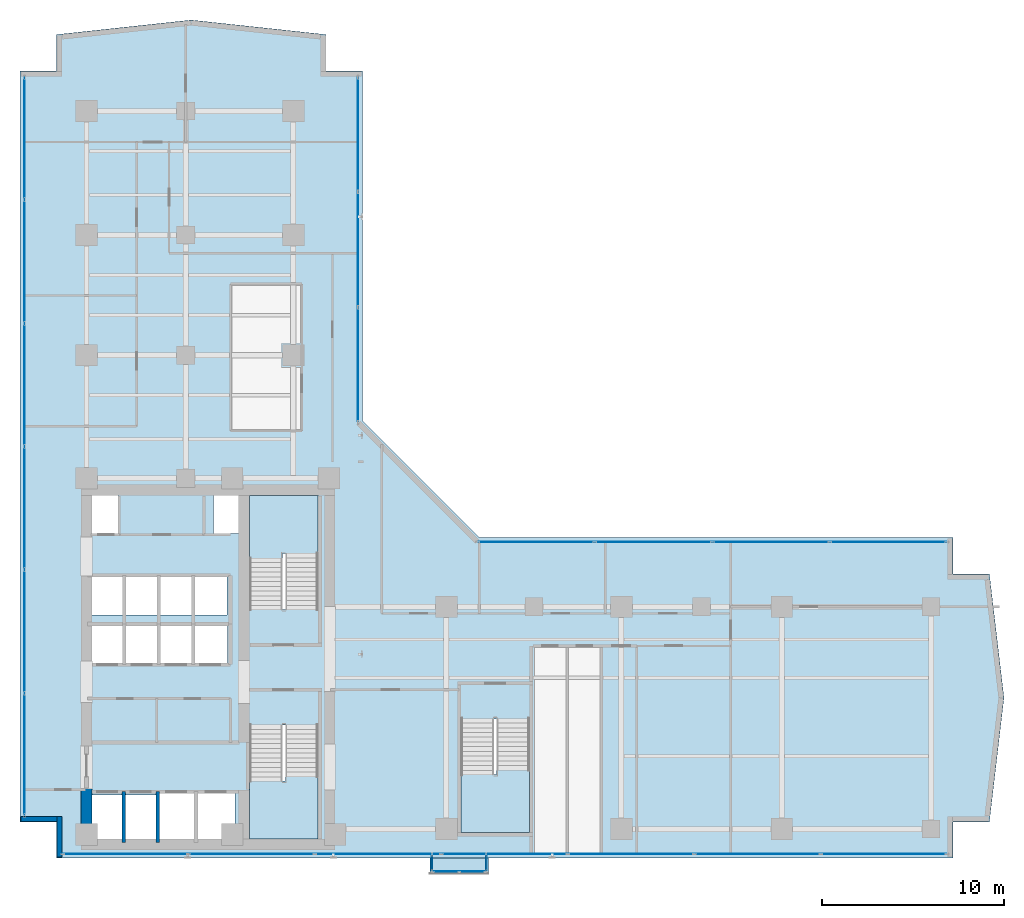
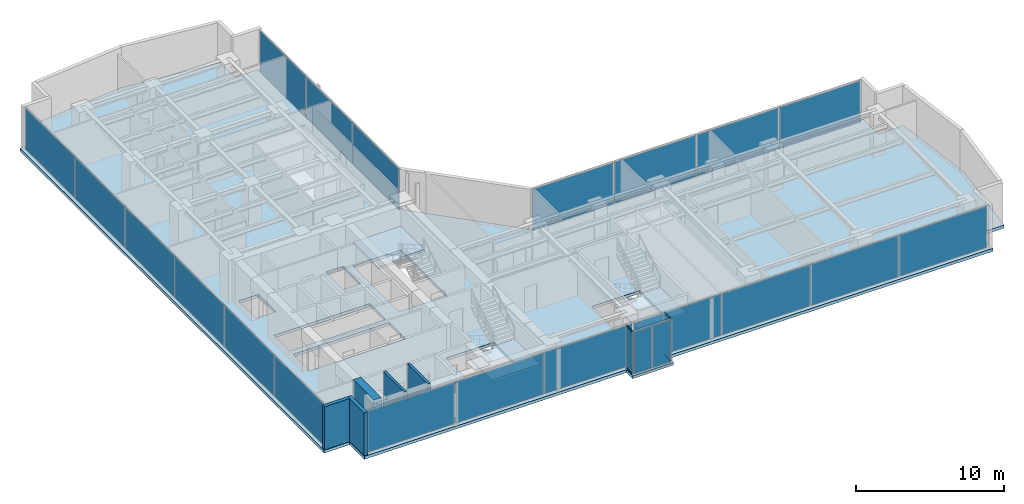
# One storey, part 18 of 24: 24 plates, 5 slabs, 5 walls, 4 members, 10 elements without a shape of their own.
"""IFC4 building model written with IfcOpenShell, lengths in metres."""

from ifc_helpers import new_model, si_unit, direction, frame, frame_2d, origin, origin_with_axes, origin_2d, place, context, subcontext, project, spatial, polyline, rectangle, hollow_rectangle, outline, extrude, source, transform, mapped, material, layer, layer_set, material_profile, profile_set, type_object, element, aggregate, save


model = new_model("IFC4")

# Units and contexts
model_context = context("Model", 3, precision=1e-05, world=origin(), true_north=direction((0.0, 1.0)))
body_context = subcontext(model_context, "Body", "Model", "MODEL_VIEW")
ifc_project = project(units=[si_unit("LENGTHUNIT", "METRE"), si_unit("AREAUNIT", "SQUARE_METRE"), si_unit("VOLUMEUNIT", "CUBIC_METRE"), si_unit("PLANEANGLEUNIT", "RADIAN"), si_unit("MASSUNIT", "GRAM", prefix="KILO")], contexts=[model_context])

# Site, building, storey
site_placement = place(None, origin())
site = spatial("IfcSite", under=ifc_project, at=site_placement, CompositionType="ELEMENT")
building_placement = place(site_placement, origin())
building = spatial("IfcBuilding", under=site, at=building_placement, Name="Kolvaren Waterfront Exchange", CompositionType="ELEMENT")
storey_placement = place(building_placement, frame((0.0, 0.0, 184.199951171875)))
storey = spatial("IfcBuildingStorey", under=building, at=storey_placement, Name="L47", CompositionType="ELEMENT", Elevation=184.199951171875)

# Curtain wall, members
ifc_material_1 = material(Name="Anodised bronze aluminium 6063-T6", Category="aluminium")
ifc_layer_1 = layer(ifc_material_1, 0.219970703125, Name="Anodised bronze aluminium 6063-T6")
ifc_layer_set_1 = layer_set([ifc_layer_1], Name="Anodised bronze aluminium 6063-T6")
curtain_wall_type_1 = type_object("IfcCurtainWallType", Name="ARC-CW-SYS3", PredefinedType="USERDEFINED", material=ifc_layer_set_1)
curtain_wall_1_placement = place(storey_placement, origin())
curtain_wall_1 = element("IfcCurtainWall", 1, at=curtain_wall_1_placement, inside=storey, type_object=curtain_wall_type_1, Name="L47 stick curtain wall CW3 (CW-L47-BOX-W)", ObjectType="STICK CURTAIN WALL", PredefinedType="USERDEFINED")
ifc_material_profile = material_profile(ifc_material_1, hollow_rectangle(XDim=0.06494140625, YDim=0.1298828125, WallThickness=0.00390625, at=origin_2d()), Name="ALU-TRN-130x65x4")
ifc_profile_set = profile_set([ifc_material_profile], Name="Anodised bronze aluminium 6063-T6")
member_type = type_object("IfcMemberType", Name="ARC-CWT-130", PredefinedType="USERDEFINED", material=ifc_profile_set)
shared_shape_1 = source(origin_with_axes(), body_context, "Body", "SweptSolid", [
    extrude(hollow_rectangle(XDim=0.06494140625, YDim=0.1298828125, WallThickness=0.00390625, at=origin_2d()), origin(), (0.0, 0.0, 1.0), 0.829833984375),
])
member_1_placement = place(storey_placement, frame((26.409912109375, 3.764892578125, 0.032470703125), z_axis=(0.0, -1.0, 0.0), x_axis=(1.0, 0.0, 0.0)))
member_1 = element("IfcMember", 2, at=member_1_placement, type_object=member_type, Name="CW3 transom 1.1", ObjectType="TRANSOM", PredefinedType="USERDEFINED", context=body_context, shape_type="MappedRepresentation", body=[
    mapped(shared_shape_1, transform((0.0, 0.0, 0.0), x_axis=(1.0, 0.0, 0.0), y_axis=(0.0, 1.0, 0.0), z_axis=(0.0, 0.0, 1.0), scale=1.0)),
])
member_2_placement = place(storey_placement, frame((26.409912109375, 3.764892578125, 3.527587890625), z_axis=(0.0, -1.0, 0.0), x_axis=(1.0, 0.0, 0.0)))
member_2 = element("IfcMember", 3, at=member_2_placement, type_object=member_type, Name="CW3 transom 1.2", ObjectType="TRANSOM", PredefinedType="USERDEFINED", context=body_context, shape_type="MappedRepresentation", body=[
    mapped(shared_shape_1, transform((0.0, 0.0, 0.0), x_axis=(1.0, 0.0, 0.0), y_axis=(0.0, 1.0, 0.0), z_axis=(0.0, 0.0, 1.0), scale=1.0)),
])

curtain_wall_2_placement = place(storey_placement, origin())
curtain_wall_2 = element("IfcCurtainWall", 4, at=curtain_wall_2_placement, inside=storey, type_object=curtain_wall_type_1, Name="L47 stick curtain wall CW3 (CW-L47-BOX-E)", ObjectType="STICK CURTAIN WALL", PredefinedType="USERDEFINED")
member_3_placement = place(storey_placement, frame((29.389892578125, 2.93505859375, 0.032470703125), z_axis=(0.0, 1.0, 0.0), x_axis=(-1.0, 0.0, 0.0)))
member_3 = element("IfcMember", 5, at=member_3_placement, type_object=member_type, Name="CW3 transom 1.1", ObjectType="TRANSOM", PredefinedType="USERDEFINED", context=body_context, shape_type="MappedRepresentation", body=[
    mapped(shared_shape_1, transform((0.0, 0.0, 0.0), x_axis=(1.0, 0.0, 0.0), y_axis=(0.0, 1.0, 0.0), z_axis=(0.0, 0.0, 1.0), scale=1.0)),
])
member_4_placement = place(storey_placement, frame((29.389892578125, 2.93505859375, 3.527587890625), z_axis=(0.0, 1.0, 0.0), x_axis=(-1.0, 0.0, 0.0)))
member_4 = element("IfcMember", 6, at=member_4_placement, type_object=member_type, Name="CW3 transom 1.2", ObjectType="TRANSOM", PredefinedType="USERDEFINED", context=body_context, shape_type="MappedRepresentation", body=[
    mapped(shared_shape_1, transform((0.0, 0.0, 0.0), x_axis=(1.0, 0.0, 0.0), y_axis=(0.0, 1.0, 0.0), z_axis=(0.0, 0.0, 1.0), scale=1.0)),
])

# Stair, slab
ifc_material_2 = material(Name="Concrete C40/50", Category="concrete")
stair_type = type_object("IfcStairType", Name="ARC-STAIR-3800", PredefinedType="HALF_TURN_STAIR", material=ifc_material_2)
stair_1_placement = place(storey_placement, origin())
stair_1 = element("IfcStair", 7, at=stair_1_placement, inside=storey, type_object=stair_type, Name="L47 Smoke-proof exit stair ST1", PredefinedType="HALF_TURN_STAIR")
ifc_layer_2 = layer(ifc_material_2, 0.199951171875, Name="Concrete C40/50")
ifc_layer_set_2 = layer_set([ifc_layer_2], Name="Concrete C40/50")
slab_type_1 = type_object("IfcSlabType", Name="STR-LANDING-200", PredefinedType="LANDING", material=ifc_layer_set_2)
slab_1_placement = place(storey_placement, frame((0.0, 0.0, 1.776123046875)))
slab_1 = element("IfcSlab", 8, at=slab_1_placement, type_object=slab_type_1, Name="ST1 landing 1", PredefinedType="LANDING", context=body_context, shape_type="SweptSolid", body=[
    extrude(outline(polyline([(16.39990234375, 7.840087890625), (16.39990234375, 4.64990234375), (20.159912109375, 4.64990234375), (20.159912109375, 8.10009765625), (18.360107421875, 8.10009765625), (18.360107421875, 7.840087890625), (16.39990234375, 7.840087890625)])), origin(), (0.0, 0.0, 1.0), 0.199951171875),
])
aggregate(stair_1, [slab_1])

stair_2_placement = place(storey_placement, origin())
stair_2 = element("IfcStair", 9, at=stair_2_placement, inside=storey, type_object=stair_type, Name="L47 Smoke-proof exit stair ST2", PredefinedType="HALF_TURN_STAIR")
slab_2_placement = place(storey_placement, frame((0.0, 0.0, 1.776123046875)))
slab_2 = element("IfcSlab", 10, at=slab_2_placement, type_object=slab_type_1, Name="ST2 landing 1", PredefinedType="LANDING", context=body_context, shape_type="SweptSolid", body=[
    extrude(outline(polyline([(20.159912109375, 20.31005859375), (20.159912109375, 23.5), (16.39990234375, 23.5), (16.39990234375, 20.050048828125), (18.199951171875, 20.050048828125), (18.199951171875, 20.31005859375), (20.159912109375, 20.31005859375)])), origin(), (0.0, 0.0, 1.0), 0.199951171875),
])
aggregate(stair_2, [slab_2])

stair_3_placement = place(storey_placement, origin())
stair_3 = element("IfcStair", 11, at=stair_3_placement, inside=storey, type_object=stair_type, Name="L47 Exit stair ST3", PredefinedType="HALF_TURN_STAIR")
slab_3_placement = place(storey_placement, frame((0.0, 0.0, 1.776123046875)))
slab_3 = element("IfcSlab", 12, at=slab_3_placement, type_object=slab_type_1, Name="ST3 landing 1", PredefinedType="LANDING", context=body_context, shape_type="SweptSolid", body=[
    extrude(outline(polyline([(28.0, 8.18994140625), (28.0, 5.0), (31.760009765625, 5.0), (31.760009765625, 8.449951171875), (29.9599609375, 8.449951171875), (29.9599609375, 8.18994140625), (28.0, 8.18994140625)])), origin(), (0.0, 0.0, 1.0), 0.199951171875),
])
aggregate(stair_3, [slab_3])

# Slabs
ifc_layer_3 = layer(ifc_material_2, 0.239990234375, Name="Concrete C40/50")
ifc_layer_set_3 = layer_set([ifc_layer_3], Name="Concrete C40/50")
slab_type_2 = type_object("IfcSlabType", Name="STR-SLAB-240", PredefinedType="FLOOR", material=ifc_layer_set_3)
slab_4_placement = place(storey_placement, frame((0.0, 0.0, -0.239990234375)))
element("IfcSlab", 13, at=slab_4_placement, inside=storey, type_object=slab_type_2, Name="L47 structural floor slab", PredefinedType="FLOOR", context=body_context, shape_type="SweptSolid", body=[
    extrude(outline(polyline([(5.800048828125, 3.60009765625), (55.0, 3.60009765625), (55.0, 5.60009765625), (57.0, 5.60009765625), (57.800048828125, 12.39990234375), (57.0, 19.199951171875), (55.0, 19.199951171875), (55.0, 21.199951171875), (29.0, 21.199951171875), (22.60009765625, 27.60009765625), (22.60009765625, 46.800048828125), (20.60009765625, 46.800048828125), (20.60009765625, 48.800048828125), (13.199951171875, 49.60009765625), (5.800048828125, 48.800048828125), (5.800048828125, 46.800048828125), (3.800048828125, 46.800048828125), (3.800048828125, 5.60009765625), (5.800048828125, 5.60009765625), (5.800048828125, 3.60009765625)]), holes=[polyline([(11.320068359375, 7.260009765625), (15.610107421875, 7.260009765625), (15.610107421875, 4.5400390625), (7.719970703125, 4.5400390625), (7.719970703125, 7.06005859375), (11.320068359375, 7.06005859375), (11.320068359375, 7.260009765625)]), polyline([(20.159912109375, 10.89990234375), (20.159912109375, 4.64990234375), (16.39990234375, 4.64990234375), (16.39990234375, 10.89990234375), (20.159912109375, 10.89990234375)]), polyline([(31.760009765625, 11.25), (31.760009765625, 5.0), (28.0, 5.0), (28.0, 11.25), (31.760009765625, 11.25)]), polyline([(15.18505859375, 14.239990234375), (7.64501953125, 14.239990234375), (7.64501953125, 16.4599609375), (15.18505859375, 16.4599609375), (15.18505859375, 14.239990234375)]), polyline([(15.159912109375, 16.93994140625), (7.669921875, 16.93994140625), (7.669921875, 19.06005859375), (15.159912109375, 19.06005859375), (15.159912109375, 16.93994140625)]), polyline([(16.39990234375, 23.5), (20.159912109375, 23.5), (20.159912109375, 17.25), (16.39990234375, 17.25), (16.39990234375, 23.5)]), polyline([(7.60009765625, 23.780029296875), (9.179931640625, 23.780029296875), (9.179931640625, 21.419921875), (7.60009765625, 21.419921875), (7.60009765625, 23.780029296875)]), polyline([(15.800048828125, 23.780029296875), (15.800048828125, 21.419921875), (14.419921875, 21.419921875), (14.419921875, 23.780029296875), (15.800048828125, 23.780029296875)])]), origin(), (0.0, 0.0, 1.0), 0.239990234375),
])
ifc_layer_4 = layer(ifc_material_2, 0.219970703125, Name="Concrete C40/50")
ifc_layer_set_4 = layer_set([ifc_layer_4], Name="Concrete C40/50")
slab_type_3 = type_object("IfcSlabType", Name="STR-TERR-220", PredefinedType="FLOOR", material=ifc_layer_set_4)
slab_5_placement = place(storey_placement, frame((0.0, 0.0, -0.219970703125)))
element("IfcSlab", 14, at=slab_5_placement, inside=storey, type_object=slab_type_3, Name="L47 projecting bay-box floor strip", PredefinedType="FLOOR", context=body_context, shape_type="SweptSolid", body=[
    extrude(outline(polyline([(26.300048828125, 2.75), (29.5, 2.75), (29.5, 3.60009765625), (26.300048828125, 3.60009765625), (26.300048828125, 2.75)])), origin(), (0.0, 0.0, 1.0), 0.219970703125),
])

# Plate
ifc_material_3 = material(Name="Bronze tinted bay-box vision glass", Category="aluminium")
ifc_layer_5 = layer(ifc_material_3, 0.02392578125, Name="Bronze tinted bay-box vision glass")
ifc_layer_set_5 = layer_set([ifc_layer_5], Name="Bronze tinted bay-box vision glass")
plate_type_1 = type_object("IfcPlateType", Name="ARC-CWP-24", PredefinedType="CURTAIN_PANEL", material=ifc_layer_set_5)
shared_shape_2 = source(origin_with_axes(), body_context, "Body", "SweptSolid", [
    extrude(rectangle(XDim=0.830078125, YDim=0.02392578125, at=origin_2d()), origin(), (0.0, 0.0, 1.0), 3.429931640625),
])
plate_1_placement = place(storey_placement, frame((26.409912109375, 3.35009765625, 0.06494140625), z_axis=(0.0, 0.0, 1.0), x_axis=(0.0, -1.0, 0.0)))
plate_1 = element("IfcPlate", 15, at=plate_1_placement, type_object=plate_type_1, Name="CW3 panel 1.1", PredefinedType="CURTAIN_PANEL", context=body_context, shape_type="MappedRepresentation", body=[
    mapped(shared_shape_2, transform((0.0, 0.0, 0.0), x_axis=(1.0, 0.0, 0.0), y_axis=(0.0, 1.0, 0.0), z_axis=(0.0, 0.0, 1.0), scale=1.0)),
])

aggregate(curtain_wall_1, [member_1, member_2, plate_1])

plate_2_placement = place(storey_placement, frame((29.389892578125, 3.35009765625, 0.06494140625), z_axis=(0.0, 0.0, 1.0), x_axis=(0.0, 1.0, 0.0)))
plate_2 = element("IfcPlate", 16, at=plate_2_placement, type_object=plate_type_1, Name="CW3 panel 1.1", PredefinedType="CURTAIN_PANEL", context=body_context, shape_type="MappedRepresentation", body=[
    mapped(shared_shape_2, transform((0.0, 0.0, 0.0), x_axis=(1.0, 0.0, 0.0), y_axis=(0.0, 1.0, 0.0), z_axis=(0.0, 0.0, 1.0), scale=1.0)),
])

aggregate(curtain_wall_2, [member_3, member_4, plate_2])

# Curtain wall, plates
curtain_wall_3_placement = place(storey_placement, origin())
curtain_wall_3 = element("IfcCurtainWall", 17, at=curtain_wall_3_placement, inside=storey, type_object=curtain_wall_type_1, Name="L47 stick curtain wall CW3 (CW-L47-BOX)", ObjectType="STICK CURTAIN WALL", PredefinedType="USERDEFINED")
shared_shape_3 = source(origin_with_axes(), body_context, "Body", "SweptSolid", [
    extrude(rectangle(XDim=1.37744140625, YDim=0.02392578125, at=origin_2d()), origin(), (0.0, 0.0, 1.0), 3.429931640625),
])
plate_3_placement = place(storey_placement, frame((27.173828125, 2.860107421875, 0.06494140625), z_axis=(0.0, 0.0, 1.0), x_axis=(1.0, 0.0, 0.0)))
plate_3 = element("IfcPlate", 18, at=plate_3_placement, type_object=plate_type_1, Name="CW3 panel 1.1", PredefinedType="CURTAIN_PANEL", context=body_context, shape_type="MappedRepresentation", body=[
    mapped(shared_shape_3, transform((0.0, 0.0, 0.0), x_axis=(1.0, 0.0, 0.0), y_axis=(0.0, 1.0, 0.0), z_axis=(0.0, 0.0, 1.0), scale=1.0)),
])
plate_4_placement = place(storey_placement, frame((28.626220703125, 2.860107421875, 0.06494140625), z_axis=(0.0, 0.0, 1.0), x_axis=(1.0, 0.0, 0.0)))
plate_4 = element("IfcPlate", 19, at=plate_4_placement, type_object=plate_type_1, Name="CW3 panel 2.1", PredefinedType="CURTAIN_PANEL", context=body_context, shape_type="MappedRepresentation", body=[
    mapped(shared_shape_3, transform((0.0, 0.0, 0.0), x_axis=(1.0, 0.0, 0.0), y_axis=(0.0, 1.0, 0.0), z_axis=(0.0, 0.0, 1.0), scale=1.0)),
])
aggregate(curtain_wall_3, [plate_3, plate_4])

ifc_layer_6 = layer(ifc_material_1, 0.219970703125, Name="Anodised bronze aluminium 6063-T6")
ifc_layer_set_6 = layer_set([ifc_layer_6], Name="Anodised bronze aluminium 6063-T6")
curtain_wall_type_2 = type_object("IfcCurtainWallType", Name="ARC-CW-SYS1", PredefinedType="USERDEFINED", material=ifc_layer_set_6)
curtain_wall_4_placement = place(storey_placement, origin())
curtain_wall_4 = element("IfcCurtainWall", 20, at=curtain_wall_4_placement, inside=storey, type_object=curtain_wall_type_2, Name="L47 stick curtain wall CW1 (CW-L47-S)", ObjectType="STICK CURTAIN WALL", PredefinedType="USERDEFINED")
ifc_material_4 = material(Name="Bronze solar control vision glass", Category="aluminium")
ifc_layer_7 = layer(ifc_material_4, 0.028076171875, Name="Bronze solar control vision glass")
ifc_layer_set_7 = layer_set([ifc_layer_7], Name="Bronze solar control vision glass")
plate_type_2 = type_object("IfcPlateType", Name="ARC-CWP-28", PredefinedType="CURTAIN_PANEL", material=ifc_layer_set_7)
shared_shape_4 = source(origin_with_axes(), body_context, "Body", "SweptSolid", [
    extrude(rectangle(XDim=6.82275390625, YDim=0.028076171875, at=origin_2d()), origin(), (0.0, 0.0, 1.0), 3.409912109375),
])
plate_5_placement = place(storey_placement, frame((9.59130859375, 3.840087890625, 0.0751953125), z_axis=(0.0, 0.0, 1.0), x_axis=(1.0, 0.0, 0.0)))
plate_5 = element("IfcPlate", 21, at=plate_5_placement, type_object=plate_type_2, Name="CW1 panel 1.1", PredefinedType="CURTAIN_PANEL", context=body_context, shape_type="MappedRepresentation", body=[
    mapped(shared_shape_4, transform((0.0, 0.0, 0.0), x_axis=(1.0, 0.0, 0.0), y_axis=(0.0, 1.0, 0.0), z_axis=(0.0, 0.0, 1.0), scale=1.0)),
])
plate_6_placement = place(storey_placement, frame((51.20849609375, 3.840087890625, 0.0751953125), z_axis=(0.0, 0.0, 1.0), x_axis=(1.0, 0.0, 0.0)))
plate_6 = element("IfcPlate", 22, at=plate_6_placement, type_object=plate_type_2, Name="CW1 panel 7.1", PredefinedType="CURTAIN_PANEL", context=body_context, shape_type="MappedRepresentation", body=[
    mapped(shared_shape_4, transform((0.0, 0.0, 0.0), x_axis=(1.0, 0.0, 0.0), y_axis=(0.0, 1.0, 0.0), z_axis=(0.0, 0.0, 1.0), scale=1.0)),
])
shared_shape_5 = source(origin_with_axes(), body_context, "Body", "SweptSolid", [
    extrude(rectangle(XDim=6.86279296875, YDim=0.028076171875, at=origin_2d()), origin(), (0.0, 0.0, 1.0), 3.409912109375),
])
plate_7_placement = place(storey_placement, frame((16.514404296875, 3.840087890625, 0.0751953125), z_axis=(0.0, 0.0, 1.0), x_axis=(1.0, 0.0, 0.0)))
plate_7 = element("IfcPlate", 23, at=plate_7_placement, type_object=plate_type_2, Name="CW1 panel 2.1", PredefinedType="CURTAIN_PANEL", context=body_context, shape_type="MappedRepresentation", body=[
    mapped(shared_shape_5, transform((0.0, 0.0, 0.0), x_axis=(1.0, 0.0, 0.0), y_axis=(0.0, 1.0, 0.0), z_axis=(0.0, 0.0, 1.0), scale=1.0)),
])
plate_8_placement = place(storey_placement, frame((23.45703125, 3.840087890625, 0.0751953125), z_axis=(0.0, 0.0, 1.0), x_axis=(1.0, 0.0, 0.0)))
plate_8 = element("IfcPlate", 24, at=plate_8_placement, type_object=plate_type_2, Name="CW1 panel 3.1", PredefinedType="CURTAIN_PANEL", context=body_context, shape_type="MappedRepresentation", body=[
    mapped(shared_shape_5, transform((0.0, 0.0, 0.0), x_axis=(1.0, 0.0, 0.0), y_axis=(0.0, 1.0, 0.0), z_axis=(0.0, 0.0, 1.0), scale=1.0)),
])
plate_9_placement = place(storey_placement, frame((30.39990234375, 3.840087890625, 0.0751953125), z_axis=(0.0, 0.0, 1.0), x_axis=(1.0, 0.0, 0.0)))
plate_9 = element("IfcPlate", 25, at=plate_9_placement, type_object=plate_type_2, Name="CW1 panel 4.1", PredefinedType="CURTAIN_PANEL", context=body_context, shape_type="MappedRepresentation", body=[
    mapped(shared_shape_5, transform((0.0, 0.0, 0.0), x_axis=(1.0, 0.0, 0.0), y_axis=(0.0, 1.0, 0.0), z_axis=(0.0, 0.0, 1.0), scale=1.0)),
])
plate_10_placement = place(storey_placement, frame((37.3427734375, 3.840087890625, 0.0751953125), z_axis=(0.0, 0.0, 1.0), x_axis=(1.0, 0.0, 0.0)))
plate_10 = element("IfcPlate", 26, at=plate_10_placement, type_object=plate_type_2, Name="CW1 panel 5.1", PredefinedType="CURTAIN_PANEL", context=body_context, shape_type="MappedRepresentation", body=[
    mapped(shared_shape_5, transform((0.0, 0.0, 0.0), x_axis=(1.0, 0.0, 0.0), y_axis=(0.0, 1.0, 0.0), z_axis=(0.0, 0.0, 1.0), scale=1.0)),
])
plate_11_placement = place(storey_placement, frame((44.28564453125, 3.840087890625, 0.0751953125), z_axis=(0.0, 0.0, 1.0), x_axis=(1.0, 0.0, 0.0)))
plate_11 = element("IfcPlate", 27, at=plate_11_placement, type_object=plate_type_2, Name="CW1 panel 6.1", PredefinedType="CURTAIN_PANEL", context=body_context, shape_type="MappedRepresentation", body=[
    mapped(shared_shape_5, transform((0.0, 0.0, 0.0), x_axis=(1.0, 0.0, 0.0), y_axis=(0.0, 1.0, 0.0), z_axis=(0.0, 0.0, 1.0), scale=1.0)),
])
aggregate(curtain_wall_4, [plate_5, plate_7, plate_8, plate_9, plate_10, plate_11, plate_6])

curtain_wall_5_placement = place(storey_placement, origin())
curtain_wall_5 = element("IfcCurtainWall", 28, at=curtain_wall_5_placement, inside=storey, type_object=curtain_wall_type_2, Name="L47 stick curtain wall CW1 (CW-L47-NE)", ObjectType="STICK CURTAIN WALL", PredefinedType="USERDEFINED")
shared_shape_6 = source(origin_with_axes(), body_context, "Body", "SweptSolid", [
    extrude(rectangle(XDim=6.216552734375, YDim=0.028076171875, at=origin_2d()), origin(), (0.0, 0.0, 1.0), 3.409912109375),
])
plate_12_placement = place(storey_placement, frame((22.360107421875, 30.67822265625, 0.0751953125), z_axis=(0.0, 0.0, 1.0), x_axis=(0.0, 1.0, 0.0)))
plate_12 = element("IfcPlate", 29, at=plate_12_placement, type_object=plate_type_2, Name="CW1 panel 1.1", PredefinedType="CURTAIN_PANEL", context=body_context, shape_type="MappedRepresentation", body=[
    mapped(shared_shape_6, transform((0.0, 0.0, 0.0), x_axis=(1.0, 0.0, 0.0), y_axis=(0.0, 1.0, 0.0), z_axis=(0.0, 0.0, 1.0), scale=1.0)),
])
plate_13_placement = place(storey_placement, frame((22.360107421875, 43.311767578125, 0.0751953125), z_axis=(0.0, 0.0, 1.0), x_axis=(0.0, 1.0, 0.0)))
plate_13 = element("IfcPlate", 30, at=plate_13_placement, type_object=plate_type_2, Name="CW1 panel 3.1", PredefinedType="CURTAIN_PANEL", context=body_context, shape_type="MappedRepresentation", body=[
    mapped(shared_shape_6, transform((0.0, 0.0, 0.0), x_axis=(1.0, 0.0, 0.0), y_axis=(0.0, 1.0, 0.0), z_axis=(0.0, 0.0, 1.0), scale=1.0)),
])
shared_shape_7 = source(origin_with_axes(), body_context, "Body", "SweptSolid", [
    extrude(rectangle(XDim=6.256591796875, YDim=0.028076171875, at=origin_2d()), origin(), (0.0, 0.0, 1.0), 3.409912109375),
])
plate_14_placement = place(storey_placement, frame((22.360107421875, 36.9951171875, 0.0751953125), z_axis=(0.0, 0.0, 1.0), x_axis=(0.0, 1.0, 0.0)))
plate_14 = element("IfcPlate", 31, at=plate_14_placement, type_object=plate_type_2, Name="CW1 panel 2.1", PredefinedType="CURTAIN_PANEL", context=body_context, shape_type="MappedRepresentation", body=[
    mapped(shared_shape_7, transform((0.0, 0.0, 0.0), x_axis=(1.0, 0.0, 0.0), y_axis=(0.0, 1.0, 0.0), z_axis=(0.0, 0.0, 1.0), scale=1.0)),
])
aggregate(curtain_wall_5, [plate_12, plate_14, plate_13])

curtain_wall_6_placement = place(storey_placement, origin())
curtain_wall_6 = element("IfcCurtainWall", 32, at=curtain_wall_6_placement, inside=storey, type_object=curtain_wall_type_2, Name="L47 stick curtain wall CW1 (CW-L47-EN)", ObjectType="STICK CURTAIN WALL", PredefinedType="USERDEFINED")
shared_shape_8 = source(origin_with_axes(), body_context, "Body", "SweptSolid", [
    extrude(rectangle(XDim=6.33251953125, YDim=0.028076171875, at=origin_2d()), origin(), (0.0, 0.0, 1.0), 3.409912109375),
])
plate_15_placement = place(storey_placement, frame((32.13623046875, 20.9599609375, 0.0751953125), z_axis=(0.0, 0.0, 1.0), x_axis=(1.0, 0.0, 0.0)))
plate_15 = element("IfcPlate", 33, at=plate_15_placement, type_object=plate_type_2, Name="CW1 panel 1.1", PredefinedType="CURTAIN_PANEL", context=body_context, shape_type="MappedRepresentation", body=[
    mapped(shared_shape_8, transform((0.0, 0.0, 0.0), x_axis=(1.0, 0.0, 0.0), y_axis=(0.0, 1.0, 0.0), z_axis=(0.0, 0.0, 1.0), scale=1.0)),
])
plate_16_placement = place(storey_placement, frame((51.453857421875, 20.9599609375, 0.0751953125), z_axis=(0.0, 0.0, 1.0), x_axis=(1.0, 0.0, 0.0)))
plate_16 = element("IfcPlate", 34, at=plate_16_placement, type_object=plate_type_2, Name="CW1 panel 4.1", PredefinedType="CURTAIN_PANEL", context=body_context, shape_type="MappedRepresentation", body=[
    mapped(shared_shape_8, transform((0.0, 0.0, 0.0), x_axis=(1.0, 0.0, 0.0), y_axis=(0.0, 1.0, 0.0), z_axis=(0.0, 0.0, 1.0), scale=1.0)),
])
shared_shape_9 = source(origin_with_axes(), body_context, "Body", "SweptSolid", [
    extrude(rectangle(XDim=6.37255859375, YDim=0.028076171875, at=origin_2d()), origin(), (0.0, 0.0, 1.0), 3.409912109375),
])
plate_17_placement = place(storey_placement, frame((38.56884765625, 20.9599609375, 0.0751953125), z_axis=(0.0, 0.0, 1.0), x_axis=(1.0, 0.0, 0.0)))
plate_17 = element("IfcPlate", 35, at=plate_17_placement, type_object=plate_type_2, Name="CW1 panel 2.1", PredefinedType="CURTAIN_PANEL", context=body_context, shape_type="MappedRepresentation", body=[
    mapped(shared_shape_9, transform((0.0, 0.0, 0.0), x_axis=(1.0, 0.0, 0.0), y_axis=(0.0, 1.0, 0.0), z_axis=(0.0, 0.0, 1.0), scale=1.0)),
])
plate_18_placement = place(storey_placement, frame((45.021240234375, 20.9599609375, 0.0751953125), z_axis=(0.0, 0.0, 1.0), x_axis=(1.0, 0.0, 0.0)))
plate_18 = element("IfcPlate", 36, at=plate_18_placement, type_object=plate_type_2, Name="CW1 panel 3.1", PredefinedType="CURTAIN_PANEL", context=body_context, shape_type="MappedRepresentation", body=[
    mapped(shared_shape_9, transform((0.0, 0.0, 0.0), x_axis=(1.0, 0.0, 0.0), y_axis=(0.0, 1.0, 0.0), z_axis=(0.0, 0.0, 1.0), scale=1.0)),
])
aggregate(curtain_wall_6, [plate_15, plate_17, plate_18, plate_16])

ifc_material_5 = material(Name="Anodised aluminium 6063-T6", Category="aluminium")
ifc_layer_8 = layer(ifc_material_5, 0.219970703125, Name="Anodised aluminium 6063-T6")
ifc_layer_set_8 = layer_set([ifc_layer_8], Name="Anodised aluminium 6063-T6")
curtain_wall_type_3 = type_object("IfcCurtainWallType", Name="ARC-CW-SYS2", PredefinedType="USERDEFINED", material=ifc_layer_set_8)
curtain_wall_7_placement = place(storey_placement, origin())
curtain_wall_7 = element("IfcCurtainWall", 37, at=curtain_wall_7_placement, inside=storey, type_object=curtain_wall_type_3, Name="L47 stick curtain wall CW2 (CW-L47-W)", ObjectType="STICK CURTAIN WALL", PredefinedType="USERDEFINED")
ifc_material_6 = material(Name="Acoustic laminated vision glass", Category="glass")
ifc_layer_9 = layer(ifc_material_6, 0.031982421875, Name="Acoustic laminated vision glass")
ifc_layer_set_9 = layer_set([ifc_layer_9], Name="Acoustic laminated vision glass")
plate_type_3 = type_object("IfcPlateType", Name="ARC-CWP-32", PredefinedType="CURTAIN_PANEL", material=ifc_layer_set_9)
shared_shape_10 = source(origin_with_axes(), body_context, "Body", "SweptSolid", [
    extrude(rectangle(XDim=6.646728515625, YDim=0.031982421875, at=origin_2d()), origin(), (0.0, 0.0, 1.0), 3.409912109375),
])
plate_19_placement = place(storey_placement, frame((4.0400390625, 9.30322265625, 0.0751953125), z_axis=(0.0, 0.0, 1.0), x_axis=(0.0, 1.0, 0.0)))
plate_19 = element("IfcPlate", 38, at=plate_19_placement, type_object=plate_type_3, Name="CW2 panel 1.1", PredefinedType="CURTAIN_PANEL", context=body_context, shape_type="MappedRepresentation", body=[
    mapped(shared_shape_10, transform((0.0, 0.0, 0.0), x_axis=(1.0, 0.0, 0.0), y_axis=(0.0, 1.0, 0.0), z_axis=(0.0, 0.0, 1.0), scale=1.0)),
])
plate_20_placement = place(storey_placement, frame((4.0400390625, 43.0966796875, 0.0751953125), z_axis=(0.0, 0.0, 1.0), x_axis=(0.0, 1.0, 0.0)))
plate_20 = element("IfcPlate", 39, at=plate_20_placement, type_object=plate_type_3, Name="CW2 panel 6.1", PredefinedType="CURTAIN_PANEL", context=body_context, shape_type="MappedRepresentation", body=[
    mapped(shared_shape_10, transform((0.0, 0.0, 0.0), x_axis=(1.0, 0.0, 0.0), y_axis=(0.0, 1.0, 0.0), z_axis=(0.0, 0.0, 1.0), scale=1.0)),
])
shared_shape_11 = source(origin_with_axes(), body_context, "Body", "SweptSolid", [
    extrude(rectangle(XDim=6.686767578125, YDim=0.031982421875, at=origin_2d()), origin(), (0.0, 0.0, 1.0), 3.409912109375),
])
plate_21_placement = place(storey_placement, frame((4.0400390625, 16.050048828125, 0.0751953125), z_axis=(0.0, 0.0, 1.0), x_axis=(0.0, 1.0, 0.0)))
plate_21 = element("IfcPlate", 40, at=plate_21_placement, type_object=plate_type_3, Name="CW2 panel 2.1", PredefinedType="CURTAIN_PANEL", context=body_context, shape_type="MappedRepresentation", body=[
    mapped(shared_shape_11, transform((0.0, 0.0, 0.0), x_axis=(1.0, 0.0, 0.0), y_axis=(0.0, 1.0, 0.0), z_axis=(0.0, 0.0, 1.0), scale=1.0)),
])
plate_22_placement = place(storey_placement, frame((4.0400390625, 22.816650390625, 0.0751953125), z_axis=(0.0, 0.0, 1.0), x_axis=(0.0, 1.0, 0.0)))
plate_22 = element("IfcPlate", 41, at=plate_22_placement, type_object=plate_type_3, Name="CW2 panel 3.1", PredefinedType="CURTAIN_PANEL", context=body_context, shape_type="MappedRepresentation", body=[
    mapped(shared_shape_11, transform((0.0, 0.0, 0.0), x_axis=(1.0, 0.0, 0.0), y_axis=(0.0, 1.0, 0.0), z_axis=(0.0, 0.0, 1.0), scale=1.0)),
])
plate_23_placement = place(storey_placement, frame((4.0400390625, 29.583251953125, 0.0751953125), z_axis=(0.0, 0.0, 1.0), x_axis=(0.0, 1.0, 0.0)))
plate_23 = element("IfcPlate", 42, at=plate_23_placement, type_object=plate_type_3, Name="CW2 panel 4.1", PredefinedType="CURTAIN_PANEL", context=body_context, shape_type="MappedRepresentation", body=[
    mapped(shared_shape_11, transform((0.0, 0.0, 0.0), x_axis=(1.0, 0.0, 0.0), y_axis=(0.0, 1.0, 0.0), z_axis=(0.0, 0.0, 1.0), scale=1.0)),
])
plate_24_placement = place(storey_placement, frame((4.0400390625, 36.35009765625, 0.0751953125), z_axis=(0.0, 0.0, 1.0), x_axis=(0.0, 1.0, 0.0)))
plate_24 = element("IfcPlate", 43, at=plate_24_placement, type_object=plate_type_3, Name="CW2 panel 5.1", PredefinedType="CURTAIN_PANEL", context=body_context, shape_type="MappedRepresentation", body=[
    mapped(shared_shape_11, transform((0.0, 0.0, 0.0), x_axis=(1.0, 0.0, 0.0), y_axis=(0.0, 1.0, 0.0), z_axis=(0.0, 0.0, 1.0), scale=1.0)),
])
aggregate(curtain_wall_7, [plate_19, plate_21, plate_22, plate_23, plate_24, plate_20])

# Walls
ifc_material_7 = material(Name="Precast concrete C40/50", Category="concrete")
ifc_layer_10 = layer(ifc_material_7, 0.280029296875, Name="Precast concrete C40/50")
ifc_layer_set_10 = layer_set([ifc_layer_10], Name="Precast concrete C40/50")
wall_type_1 = type_object("IfcWallType", Name="ARC-EXT-TERR-280", PredefinedType="SOLIDWALL", material=ifc_layer_set_10)
wall_1_placement = place(storey_placement, frame((5.9599609375, 3.659912109375, 0.0), z_axis=(0.0, 0.0, 1.0), x_axis=(0.0, 1.0, 0.0)))
element("IfcWall", 44, at=wall_1_placement, inside=storey, type_object=wall_type_1, Name="L47 notched corner spandrel pier SW-A", PredefinedType="SOLIDWALL", context=body_context, shape_type="SweptSolid", body=[
    extrude(rectangle(XDim=2.239990234375, YDim=0.280029296875, at=frame_2d((1.1201171875, 0.0))), origin(), (0.0, 0.0, 1.0), 3.56005859375),
])
wall_2_placement = place(storey_placement, frame((3.860107421875, 5.760009765625, 0.0), z_axis=(0.0, 0.0, 1.0), x_axis=(1.0, 0.0, 0.0)))
element("IfcWall", 45, at=wall_2_placement, inside=storey, type_object=wall_type_1, Name="L47 notched corner spandrel pier SW-B", PredefinedType="SOLIDWALL", context=body_context, shape_type="SweptSolid", body=[
    extrude(rectangle(XDim=1.9599609375, YDim=0.280029296875, at=frame_2d((0.97998046875, 0.0))), origin(), (0.0, 0.0, 1.0), 3.56005859375),
])
ifc_layer_11 = layer(ifc_material_2, 0.199951171875, Name="Concrete C40/50")
ifc_layer_set_11 = layer_set([ifc_layer_11], Name="Concrete C40/50")
wall_type_2 = type_object("IfcWallType", Name="ARC-SHAFT-200", PredefinedType="PARTITIONING", material=ifc_layer_set_11)
for number, where, z_axis, x_axis, name in (
    (46, (9.5, 4.449951171875, 0.0), (0.0, 0.0, 1.0), (0.0, 1.0, 0.0), "L47 interior wall PW-L47-SH1-DIV-95"),
    (47, (11.360107421875, 4.449951171875, 0.0), (0.0, 0.0, 1.0), (0.0, 1.0, 0.0), "L47 interior wall PW-L47-SH1-DIV-113"),
):
    element("IfcWall", number, at=place(storey_placement, frame(where, z_axis=z_axis, x_axis=x_axis)), inside=storey, type_object=wall_type_2, Name=name, PredefinedType="PARTITIONING", context=body_context, shape_type="SweptSolid", body=[
        extrude(rectangle(XDim=2.800048828125, YDim=0.199951171875, at=frame_2d((1.39990234375, 0.0))), origin(), (0.0, 0.0, 1.0), 3.56005859375),
    ])
ifc_material_8 = material(Name="Concrete C60/75", Category="concrete")
ifc_layer_12 = layer(ifc_material_8, 0.60009765625, Name="Concrete C60/75")
ifc_layer_set_12 = layer_set([ifc_layer_12], Name="Concrete C60/75")
wall_type_3 = type_object("IfcWallType", Name="STR-CWALL-600", PredefinedType="SHEAR", material=ifc_layer_set_12)
wall_3_placement = place(storey_placement, frame((7.449951171875, 4.64990234375, 0.0), z_axis=(0.0, 0.0, 1.0), x_axis=(0.0, 1.0, 0.0)))
element("IfcWall", 48, at=wall_3_placement, inside=storey, type_object=wall_type_3, Name="L47 rear-core shear wall W1", PredefinedType="SHEAR", context=body_context, shape_type="SweptSolid", body=[
    extrude(rectangle(XDim=2.800048828125, YDim=0.60009765625, at=frame_2d((1.39990234375, 0.0))), origin(), (0.0, 0.0, 1.0), 3.56005859375),
])

save(model, "model.ifc")
